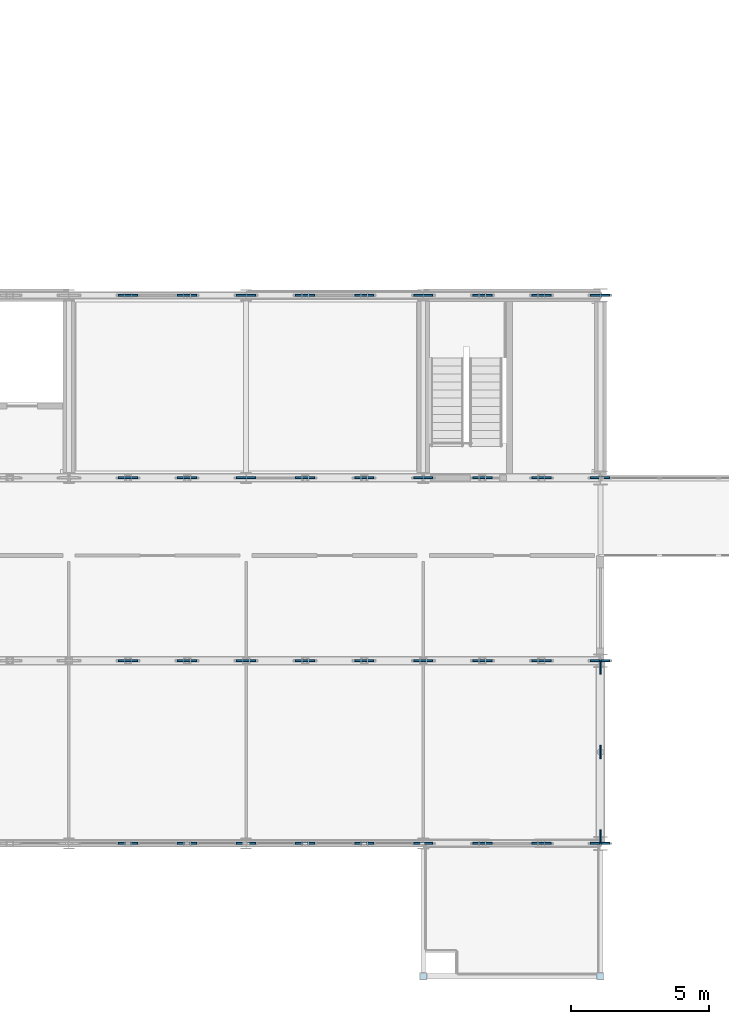
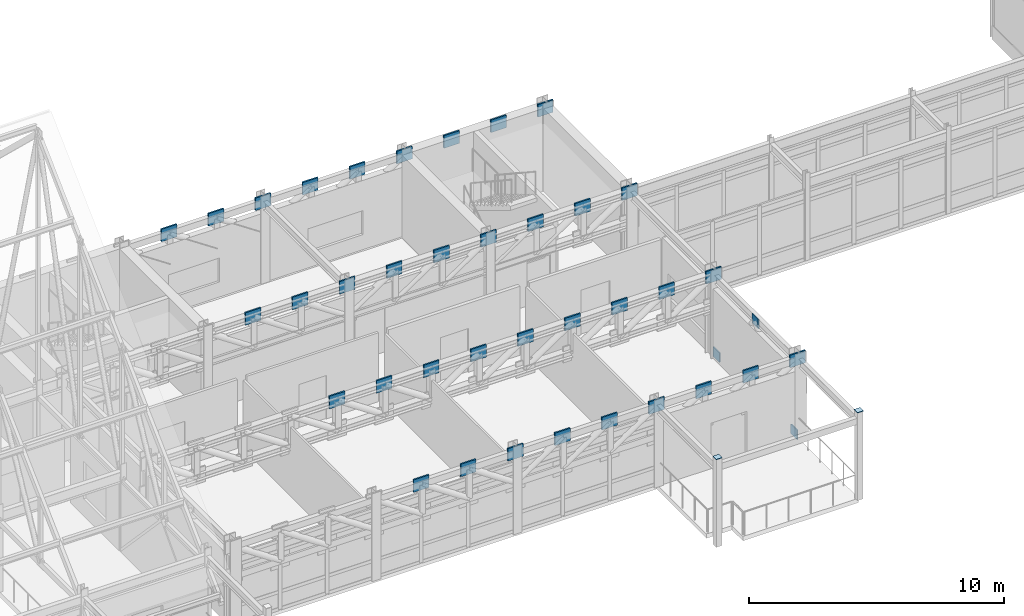
# One storey, part 120 of 144: 41 plates.
"""IFC4 building model written with IfcOpenShell, lengths in metres."""

import ifcopenshell
import ifcopenshell.guid

model = None  # the IFC model being written
_history = None  # IfcOwnerHistory: only IFC2X3 demands one
_inside = {}  # id of a spatial element -> (the spatial element, [elements in it])
_under = {}  # id of a project, library or spatial element -> (it, [spatial elements below it])
_declared = {}  # id of a project -> (the project, [libraries it declares])
_typed = {}  # id of a type object -> (the type object, [elements of that type])
_made_of = {}  # id of a material, layer set ... -> (it, [elements and type objects made of it])


def new_model(schema):
    """Start an empty IFC model of exactly this schema.

    Asked for "IFC4X3", IfcOpenShell would pick the latest addendum, in which some entities
    have other attributes; the version numbers below select the first issue.
    IFC2X3 requires an IfcOwnerHistory on every rooted entity: one is made here for all.
    """
    global model, _history
    if schema == "IFC4X3":
        model = ifcopenshell.file(schema_version=(4, 3, 0, 0))
    else:
        model = ifcopenshell.file(schema=schema)
    _inside.clear()
    _under.clear()
    _declared.clear()
    _typed.clear()
    _made_of.clear()
    _history = None
    if model.schema == "IFC2X3":
        org = make("IfcOrganization", Name="unknown")
        user = make(
            "IfcPersonAndOrganization",
            ThePerson=make("IfcPerson", FamilyName="unknown"),
            TheOrganization=org,
        )
        app = make(
            "IfcApplication",
            ApplicationDeveloper=org,
            Version="unknown",
            ApplicationFullName="unknown",
            ApplicationIdentifier="unknown",
        )
        _history = make(
            "IfcOwnerHistory",
            OwningUser=user,
            OwningApplication=app,
            ChangeAction="ADDED",
            CreationDate=0,
        )
    return model


def make(cls, **values):
    """One entity of the class cls with the attributes given. An attribute that is None is left unset."""
    return model.create_entity(
        cls, **{name: value for name, value in values.items() if value is not None}
    )


def rooted(cls, **values):
    """An entity with a GlobalId (a new one), such as an element, a storey or a relation."""
    return make(cls, GlobalId=ifcopenshell.guid.new(), OwnerHistory=_history, **values)


def si_unit(unit_type, name, prefix=None):
    """IfcSIUnit, for example si_unit("LENGTHUNIT", "METRE", prefix="MILLI")."""
    return make("IfcSIUnit", UnitType=unit_type, Prefix=prefix, Name=name)


def assignment(units):
    """IfcUnitAssignment: the units of a project."""
    return None if units is None else make("IfcUnitAssignment", Units=units)


def point(xyz):
    """IfcCartesianPoint."""
    return None if xyz is None else make("IfcCartesianPoint", Coordinates=xyz)


def direction(xyz):
    """IfcDirection."""
    return None if xyz is None else make("IfcDirection", DirectionRatios=xyz)


def frame(location, z_axis=None, x_axis=None):
    """IfcAxis2Placement3D, a coordinate frame: its origin and axes. An axis left out is left unset."""
    return make(
        "IfcAxis2Placement3D",
        Location=point(location),
        Axis=direction(z_axis),
        RefDirection=direction(x_axis),
    )


def frame_2d(location, x_axis=None):
    """IfcAxis2Placement2D, a coordinate frame in the plane: its origin and x axis."""
    return make(
        "IfcAxis2Placement2D", Location=point(location), RefDirection=direction(x_axis)
    )


def origin():
    """The frame at (0, 0, 0) with its axes left unset."""
    return frame((0.0, 0.0, 0.0))


def origin_2d():
    """The frame at (0, 0) in the plane with its x axis left unset."""
    return frame_2d((0.0, 0.0))


def place(relative_to, where):
    """IfcLocalPlacement: puts the frame where relative to a parent placement (None: the world)."""
    return make(
        "IfcLocalPlacement", PlacementRelTo=relative_to, RelativePlacement=where
    )


def context(
    kind, dimensions, precision=None, world=None, true_north=None, identifier=None
):
    """IfcGeometricRepresentationContext, for example the 3D "Model" context."""
    return make(
        "IfcGeometricRepresentationContext",
        ContextIdentifier=identifier,
        ContextType=kind,
        CoordinateSpaceDimension=dimensions,
        Precision=precision,
        WorldCoordinateSystem=world,
        TrueNorth=true_north,
    )


def subcontext(parent, identifier, kind, view, scale=None):
    """IfcGeometricRepresentationSubContext, for example "Body" below "Model"."""
    return make(
        "IfcGeometricRepresentationSubContext",
        ContextIdentifier=identifier,
        ContextType=kind,
        ParentContext=parent,
        TargetScale=scale,
        TargetView=view,
    )


def project(units=None, contexts=None):
    """IfcProject with its units and contexts."""
    return rooted(
        "IfcProject",
        Name="project",
        RepresentationContexts=contexts,
        UnitsInContext=assignment(units),
    )


def spatial(cls, under=None, at=None, **own):
    """A site, building, storey or space (cls), placed at a placement, below another one or the project."""
    s = rooted(cls, ObjectPlacement=at, **own)
    if under is not None:
        _under.setdefault(under.id(), (under, []))[1].append(s)
    return s


def profile(cls, at=None, kind="AREA", **sizes):
    """A parametric profile (cls). Its sizes go by their IFC names, for example OverallWidth=200.0."""
    return make(cls, ProfileType=kind, Position=at, **sizes)


def rectangle(**sizes):
    """IfcRectangleProfileDef."""
    return profile("IfcRectangleProfileDef", **sizes)


def extrude(swept, where, along, depth):
    """IfcExtrudedAreaSolid: the profile swept, set in the frame where, extruded along a direction by depth."""
    return make(
        "IfcExtrudedAreaSolid",
        SweptArea=swept,
        Position=where,
        ExtrudedDirection=direction(along),
        Depth=depth,
    )


def shape(context_of_items, identifier, shape_type, items):
    """IfcShapeRepresentation: the items that make up one representation, for example the "Body"."""
    return make(
        "IfcShapeRepresentation",
        ContextOfItems=context_of_items,
        RepresentationIdentifier=identifier,
        RepresentationType=shape_type,
        Items=items,
    )


def material(Name=None, Category=None):
    """IfcMaterial."""
    return make("IfcMaterial", Name=Name, Category=Category)


def layer(
    of_material, thickness, ventilated=None, Name=None, Category=None, Priority=None
):
    """IfcMaterialLayer: one layer of a wall or slab, of a material (None: an air gap)."""
    return make(
        "IfcMaterialLayer",
        Material=of_material,
        LayerThickness=thickness,
        IsVentilated=ventilated,
        Name=Name,
        Category=Category,
        Priority=Priority,
    )


def layer_set(layers, Name=None):
    """IfcMaterialLayerSet."""
    return make("IfcMaterialLayerSet", MaterialLayers=layers, LayerSetName=Name)


def made_of(thing, what):
    """Note that an element or type object is made of a material, layer set ...; save() writes the relation."""
    if what is not None:
        _made_of.setdefault(what.id(), (what, []))[1].append(thing)
    return thing


def type_object(cls, material=None, **own):
    """A type object (cls), such as IfcWallType, which elements share."""
    return made_of(rooted(cls, **own), material)


def element(
    cls,
    number,
    at=None,
    inside=None,
    cuts=None,
    type_object=None,
    material=None,
    context=None,
    identifier="Body",
    shape_type=None,
    held_by="IfcProductDefinitionShape",
    body=None,
    shapes=None,
    **own,
):
    """One element of the class cls, such as IfcWall. Its Tag is "e" and its number.

    at: its placement. inside: the storey or other place that contains it. cuts: it is an
    opening in that element (IfcRelVoidsElement). A single representation is given by context,
    identifier, shape_type and body (its items); several are given by shapes. held_by: the class
    of the entity that holds the representations. save() writes the other relations.
    """
    e = rooted(cls, Tag="e%d" % number, ObjectPlacement=at, **own)
    if body is not None:
        shapes = [shape(context, identifier, shape_type, body)]
    if shapes is not None:
        e.Representation = make(held_by, Representations=shapes)
    if inside is not None:
        _inside.setdefault(inside.id(), (inside, []))[1].append(e)
    if cuts is not None:
        rooted(
            "IfcRelVoidsElement", RelatingBuildingElement=cuts, RelatedOpeningElement=e
        )
    if type_object is not None:
        _typed.setdefault(type_object.id(), (type_object, []))[1].append(e)
    return made_of(e, material)


def aggregate(whole, parts):
    """IfcRelAggregates: a whole, such as a stair, and the parts it consists of."""
    return rooted("IfcRelAggregates", RelatingObject=whole, RelatedObjects=parts)


def save(model, path):
    """Write the relations noted so far, then the file.

    IfcRelAggregates (storeys below a building ...), IfcRelContainedInSpatialStructure (elements
    in a storey), IfcRelDefinesByType, IfcRelAssociatesMaterial and IfcRelDeclares: one each for
    every whole, place, type object, material and project.
    """
    for whole, parts in _under.values():
        aggregate(whole, parts)
    for where, things in _inside.values():
        rooted(
            "IfcRelContainedInSpatialStructure",
            RelatedElements=things,
            RelatingStructure=where,
        )
    for kind, things in _typed.values():
        rooted("IfcRelDefinesByType", RelatedObjects=things, RelatingType=kind)
    for what, things in _made_of.values():
        rooted("IfcRelAssociatesMaterial", RelatedObjects=things, RelatingMaterial=what)
    for by, libraries in _declared.values():
        rooted("IfcRelDeclares", RelatingContext=by, RelatedDefinitions=libraries)
    model.write(path)


model = new_model("IFC4")

# Units and contexts
model_context = context("Model", 3, precision=1e-05, world=origin(), true_north=direction((0.0, 1.0)))
body_context = subcontext(model_context, "Body", "Model", "MODEL_VIEW")
ifc_project = project(units=[si_unit("LENGTHUNIT", "METRE"), si_unit("AREAUNIT", "SQUARE_METRE"), si_unit("VOLUMEUNIT", "CUBIC_METRE"), si_unit("PLANEANGLEUNIT", "RADIAN"), si_unit("MASSUNIT", "GRAM", prefix="KILO")], contexts=[model_context])

# Site, building, storey
site_placement = place(None, origin())
site = spatial("IfcSite", under=ifc_project, at=site_placement, CompositionType="ELEMENT")
building_placement = place(site_placement, origin())
building = spatial("IfcBuilding", under=site, at=building_placement, Name="Trelmorton Wharf Fire Station", CompositionType="ELEMENT")
storey_placement = place(building_placement, frame((0.0, 0.0, 5.39990234375)))
storey = spatial("IfcBuildingStorey", under=building, at=storey_placement, Name="L01", CompositionType="ELEMENT", Elevation=5.39990234375)

# Plates
ifc_material = material(Name="Steel Grade 350", Category="steel")
ifc_layer_1 = layer(ifc_material, 0.02001953125)
ifc_layer_set_1 = layer_set([ifc_layer_1], Name="Steel Grade 350")
plate_type_1 = type_object("IfcPlateType", Name="PL_ENDCAP_20", PredefinedType="SHEET", material=ifc_layer_set_1)
for number, where, z_axis, x_axis, name in (
    (1, (77.199951171875, 3.0, 4.1982421875), (0.0, 0.0, 1.0), (1.0, 0.0, 0.0), "PL-COLCAP-T-0345"),
    (2, (83.60009765625, 3.0, 4.1982421875), (0.0, 0.0, 1.0), (1.0, 0.0, 0.0), "PL-COLCAP-T-0354"),
):
    element("IfcPlate", number, at=place(storey_placement, frame(where, z_axis=z_axis, x_axis=x_axis)), inside=storey, type_object=plate_type_1, Name=name, PredefinedType="SHEET", context=body_context, shape_type="SweptSolid", body=[
        extrude(rectangle(XDim=0.27001953125, YDim=0.27001953125, at=origin_2d()), origin(), (0.0, 0.0, 1.0), 0.02392578125),
    ])
ifc_layer_2 = layer(ifc_material, 0.070068359375)
ifc_layer_set_2 = layer_set([ifc_layer_2], Name="Steel Grade 350")
plate_type_2 = type_object("IfcPlateType", Name="PL_GUSSET_KTN2", PredefinedType="USERDEFINED", material=ifc_layer_set_2)
for number, where, z_axis, x_axis, name in (
    (3, (66.533203125, 7.800048828125, 3.47998046875), (0.0, 0.0, 1.0), (1.0, 0.0, 0.0), "PL-KTN-0010"),
    (4, (68.666748046875, 7.800048828125, 3.47998046875), (0.0, 0.0, 1.0), (1.0, 0.0, 0.0), "PL-KTN-0012"),
    (5, (70.800048828125, 7.800048828125, 3.47998046875), (0.0, 0.0, 1.0), (1.0, 0.0, 0.0), "PL-KTN-0014"),
    (6, (72.933349609375, 7.800048828125, 3.47998046875), (0.0, 0.0, 1.0), (1.0, 0.0, 0.0), "PL-KTN-0016"),
    (7, (75.066650390625, 7.800048828125, 3.47998046875), (0.0, 0.0, 1.0), (1.0, 0.0, 0.0), "PL-KTN-0018"),
    (8, (77.199951171875, 7.800048828125, 3.47998046875), (0.0, 0.0, 1.0), (1.0, 0.0, 0.0), "PL-KTN-0020"),
    (9, (79.333251953125, 7.800048828125, 3.47998046875), (0.0, 0.0, 1.0), (1.0, 0.0, 0.0), "PL-KTN-0022"),
    (10, (81.466796875, 7.800048828125, 3.47998046875), (0.0, 0.0, 1.0), (1.0, 0.0, 0.0), "PL-KTN-0024"),
    (11, (83.587890625, 7.800048828125, 3.47998046875), (0.0, 0.0, 1.0), (1.0, 0.0, 0.0), "PL-KTN-0026"),
    (12, (66.533203125, 14.39990234375, 3.47998046875), (0.0, 0.0, 1.0), (1.0, 0.0, 0.0), "PL-KTN-0036"),
    (13, (68.666748046875, 14.39990234375, 3.47998046875), (0.0, 0.0, 1.0), (1.0, 0.0, 0.0), "PL-KTN-0038"),
    (14, (70.800048828125, 14.39990234375, 3.47998046875), (0.0, 0.0, 1.0), (1.0, 0.0, 0.0), "PL-KTN-0040"),
    (15, (72.933349609375, 14.39990234375, 3.47998046875), (0.0, 0.0, 1.0), (1.0, 0.0, 0.0), "PL-KTN-0042"),
    (16, (75.066650390625, 14.39990234375, 3.47998046875), (0.0, 0.0, 1.0), (1.0, 0.0, 0.0), "PL-KTN-0044"),
    (17, (77.199951171875, 14.39990234375, 3.47998046875), (0.0, 0.0, 1.0), (1.0, 0.0, 0.0), "PL-KTN-0046"),
    (18, (79.333251953125, 14.39990234375, 3.47998046875), (0.0, 0.0, 1.0), (1.0, 0.0, 0.0), "PL-KTN-0048"),
    (19, (81.466796875, 14.39990234375, 3.47998046875), (0.0, 0.0, 1.0), (1.0, 0.0, 0.0), "PL-KTN-0050"),
    (20, (83.587890625, 14.39990234375, 3.47998046875), (0.0, 0.0, 1.0), (1.0, 0.0, 0.0), "PL-KTN-0052"),
    (21, (66.533203125, 21.0, 3.47998046875), (0.0, 0.0, 1.0), (1.0, 0.0, 0.0), "PL-KTN-0062"),
    (22, (68.666748046875, 21.0, 3.47998046875), (0.0, 0.0, 1.0), (1.0, 0.0, 0.0), "PL-KTN-0064"),
    (23, (70.800048828125, 21.0, 3.47998046875), (0.0, 0.0, 1.0), (1.0, 0.0, 0.0), "PL-KTN-0066"),
    (24, (72.933349609375, 21.0, 3.47998046875), (0.0, 0.0, 1.0), (1.0, 0.0, 0.0), "PL-KTN-0068"),
    (25, (75.066650390625, 21.0, 3.47998046875), (0.0, 0.0, 1.0), (1.0, 0.0, 0.0), "PL-KTN-0070"),
    (26, (77.199951171875, 21.0, 3.47998046875), (0.0, 0.0, 1.0), (1.0, 0.0, 0.0), "PL-KTN-0072"),
    (27, (79.333251953125, 21.0, 3.47998046875), (0.0, 0.0, 1.0), (1.0, 0.0, 0.0), "PL-KTN-0074"),
    (28, (81.466796875, 21.0, 3.47998046875), (0.0, 0.0, 1.0), (1.0, 0.0, 0.0), "PL-KTN-0076"),
    (29, (83.587890625, 21.0, 3.47998046875), (0.0, 0.0, 1.0), (1.0, 0.0, 0.0), "PL-KTN-0078"),
    (30, (66.533203125, 27.60009765625, 3.47998046875), (0.0, 0.0, 1.0), (1.0, 0.0, 0.0), "PL-KTN-0088"),
    (31, (68.666748046875, 27.60009765625, 3.47998046875), (0.0, 0.0, 1.0), (1.0, 0.0, 0.0), "PL-KTN-0090"),
    (32, (70.800048828125, 27.60009765625, 3.47998046875), (0.0, 0.0, 1.0), (1.0, 0.0, 0.0), "PL-KTN-0092"),
    (33, (72.933349609375, 27.60009765625, 3.47998046875), (0.0, 0.0, 1.0), (1.0, 0.0, 0.0), "PL-KTN-0094"),
    (34, (75.066650390625, 27.60009765625, 3.47998046875), (0.0, 0.0, 1.0), (1.0, 0.0, 0.0), "PL-KTN-0096"),
    (35, (77.199951171875, 27.60009765625, 3.47998046875), (0.0, 0.0, 1.0), (1.0, 0.0, 0.0), "PL-KTN-0098"),
    (36, (79.333251953125, 27.60009765625, 3.47998046875), (0.0, 0.0, 1.0), (1.0, 0.0, 0.0), "PL-KTN-0100"),
    (37, (81.466796875, 27.60009765625, 3.47998046875), (0.0, 0.0, 1.0), (1.0, 0.0, 0.0), "PL-KTN-0102"),
    (38, (83.587890625, 27.60009765625, 3.47998046875), (0.0, 0.0, 1.0), (1.0, 0.0, 0.0), "PL-KTN-0104"),
):
    element("IfcPlate", number, at=place(storey_placement, frame(where, z_axis=z_axis, x_axis=x_axis)), inside=storey, type_object=plate_type_2, Name=name, ObjectType="GUSSET PLATE", PredefinedType="USERDEFINED", context=body_context, shape_type="SweptSolid", body=[
        extrude(rectangle(XDim=0.699951171875, YDim=0.070068359375, at=origin_2d()), origin(), (0.0, 0.0, 1.0), 0.60009765625),
    ])
ifc_layer_3 = layer(ifc_material, 0.050048828125)
ifc_layer_set_3 = layer_set([ifc_layer_3], Name="Steel Grade 350")
plate_type_3 = type_object("IfcPlateType", Name="PL_GUSSET_TN2", PredefinedType="USERDEFINED", material=ifc_layer_set_3)
for number, where, z_axis, x_axis, name in (
    (39, (83.60009765625, 8.047119140625, -0.10498046875), (0.0, 0.0, 1.0), (1.0, 0.0, 0.0), "PL-CBF-0376"),
    (40, (83.60009765625, 14.153076171875, -0.10498046875), (0.0, 0.0, 1.0), (1.0, 0.0, 0.0), "PL-CBF-0377"),
    (41, (83.60009765625, 11.10009765625, 3.35498046875), (0.0, 0.0, 1.0), (1.0, 0.0, 0.0), "PL-CBF-0378"),
):
    element("IfcPlate", number, at=place(storey_placement, frame(where, z_axis=z_axis, x_axis=x_axis)), inside=storey, type_object=plate_type_3, Name=name, ObjectType="GUSSET PLATE", PredefinedType="USERDEFINED", context=body_context, shape_type="SweptSolid", body=[
        extrude(rectangle(XDim=0.050048828125, YDim=0.5, at=origin_2d()), origin(), (0.0, 0.0, 1.0), 0.449951171875),
    ])

save(model, "model.ifc")
